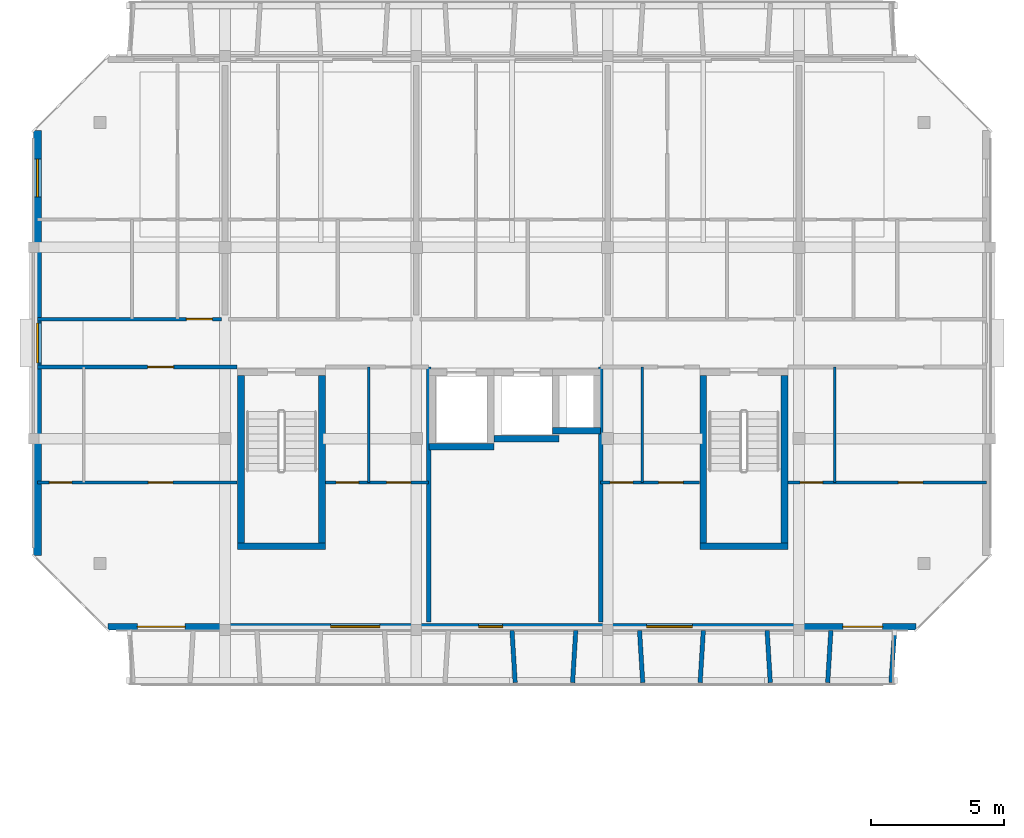
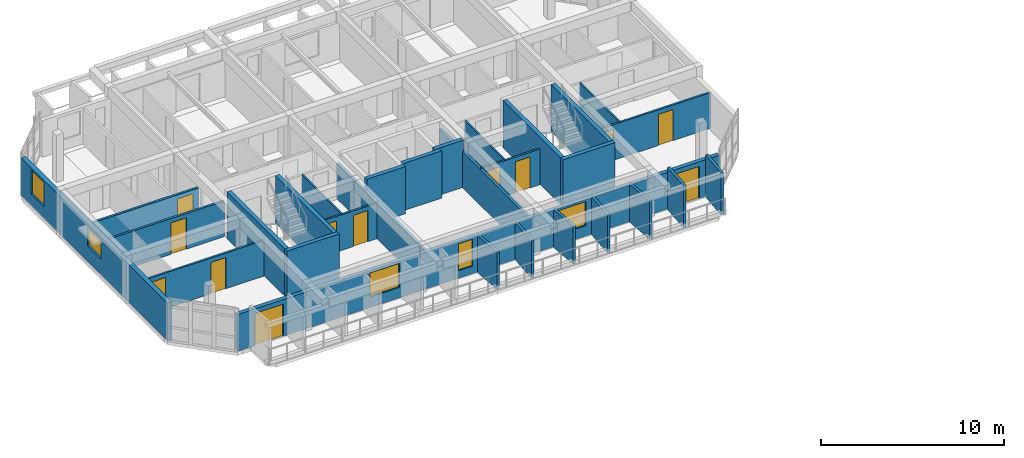
# One storey, part 11 of 19: 29 walls, 12 doors, 5 windows, 17 openings.
"""IFC4 building model written with IfcOpenShell, lengths in metres."""

from ifc_helpers import new_model, si_unit, direction, frame, frame_2d, origin, place, context, subcontext, project, spatial, rectangle, extrude, material, layer, layer_set, type_object, element, fill, save


model = new_model("IFC4")

# Units and contexts
model_context = context("Model", 3, precision=1e-05, world=origin(), true_north=direction((0.0, 1.0)))
body_context = subcontext(model_context, "Body", "Model", "MODEL_VIEW")
ifc_project = project(units=[si_unit("LENGTHUNIT", "METRE"), si_unit("AREAUNIT", "SQUARE_METRE"), si_unit("VOLUMEUNIT", "CUBIC_METRE"), si_unit("PLANEANGLEUNIT", "RADIAN"), si_unit("MASSUNIT", "GRAM", prefix="KILO")], contexts=[model_context])

# Site, building, storey
site_placement = place(None, origin())
site = spatial("IfcSite", under=ifc_project, at=site_placement, CompositionType="ELEMENT")
building_placement = place(site_placement, origin())
building = spatial("IfcBuilding", under=site, at=building_placement, Name="Ochrevale Crest", CompositionType="ELEMENT")
storey_placement = place(building_placement, frame((0.0, 0.0, 43.35009765625)))
storey = spatial("IfcBuildingStorey", under=building, at=storey_placement, Name="L13", CompositionType="ELEMENT", Elevation=43.35009765625)

# Wall, opening, door
ifc_material_1 = material(Name="Gypsum plasterboard", Category="gypsum")
ifc_layer_1 = layer(ifc_material_1, 0.139892578125)
ifc_layer_set_1 = layer_set([ifc_layer_1], Name="Gypsum plasterboard")
wall_type_1 = type_object("IfcWallType", Name="WL-COR-140", PredefinedType="PARTITIONING", material=ifc_layer_set_1)
wall_1_placement = place(storey_placement, frame((129.739990234375, 83.699951171875, 0.0), z_axis=(0.0, 0.0, 1.0), x_axis=(1.0, 0.0, 0.0)))
wall_1 = element("IfcWall", 1, at=wall_1_placement, inside=storey, type_object=wall_type_1, Name="Apartment D-L13-U1 corridor wall", PredefinedType="PARTITIONING", context=body_context, shape_type="SweptSolid", body=[
    extrude(rectangle(XDim=6.919921875, YDim=0.139892578125, at=frame_2d((3.4599609375, 0.0))), origin(), (0.0, 0.0, 1.0), 2.3798828125),
])
opening_1_placement = place(wall_1_placement, frame((6.5849609375, 0.0, 0.0), z_axis=(0.0, 0.0, 1.0), x_axis=(-1.0, 0.0, 0.0)))
opening_1 = element("IfcOpeningElement", 2, at=opening_1_placement, cuts=wall_1, Name="Opening FD01", PredefinedType="OPENING", context=body_context, shape_type="SweptSolid", body=[
    extrude(rectangle(XDim=0.97998046875, YDim=2.10009765625, at=frame_2d((0.489990234375, 1.050048828125))), frame((0.0, 0.080078125, 0.0), z_axis=(0.0, -1.0, 0.0), x_axis=(1.0, 0.0, 0.0)), (0.0, 0.0, 1.0), 0.159912109375),
])
ifc_material_2 = material(Name="Solid-core FSC hardwood", Category="wood")
door_type_1 = type_object("IfcDoorType", Name="DR-APT-950", OperationType="NOTDEFINED", PredefinedType="DOOR", material=ifc_material_2)
door_1_placement = place(opening_1_placement, origin())
door_1 = element("IfcDoor", 3, at=door_1_placement, inside=storey, type_object=door_type_1, Name="Apartment D-L13-U1 entrance door", OperationType="SINGLE_SWING_RIGHT", OverallHeight=2.10009765625, OverallWidth=0.97998046875, PredefinedType="DOOR", context=body_context, shape_type="SweptSolid", body=[
    extrude(rectangle(XDim=0.97998046875, YDim=2.10009765625, at=frame_2d((0.489990234375, 1.050048828125))), frame((0.0, 0.02490234375, 0.0), z_axis=(0.0, -1.0, 0.0), x_axis=(1.0, 0.0, 0.0)), (0.0, 0.0, 1.0), 0.050048828125),
])
fill(opening_1, door_1)

wall_2_placement = place(storey_placement, frame((129.739990234375, 81.89990234375, 0.0), z_axis=(0.0, 0.0, 1.0), x_axis=(1.0, 0.0, 0.0)))
wall_2 = element("IfcWall", 4, at=wall_2_placement, inside=storey, type_object=wall_type_1, Name="Suite D-L13-CW corridor wall", PredefinedType="PARTITIONING", context=body_context, shape_type="SweptSolid", body=[
    extrude(rectangle(XDim=7.52001953125, YDim=0.139892578125, at=frame_2d((3.760009765625, 0.0))), origin(), (0.0, 0.0, 1.0), 2.3798828125),
])
opening_2_placement = place(wall_2_placement, frame((5.125, 0.0, 0.0), z_axis=(0.0, 0.0, 1.0), x_axis=(-1.0, 0.0, 0.0)))
opening_2 = element("IfcOpeningElement", 5, at=opening_2_placement, cuts=wall_2, Name="Opening FD01", PredefinedType="OPENING", context=body_context, shape_type="SweptSolid", body=[
    extrude(rectangle(XDim=0.97998046875, YDim=2.10009765625, at=frame_2d((0.489990234375, 1.050048828125))), frame((0.0, 0.080078125, 0.0), z_axis=(0.0, -1.0, 0.0), x_axis=(1.0, 0.0, 0.0)), (0.0, 0.0, 1.0), 0.159912109375),
])
door_2_placement = place(opening_2_placement, origin())
door_2 = element("IfcDoor", 6, at=door_2_placement, inside=storey, type_object=door_type_1, Name="Suite D-L13-CW entrance door", OperationType="SINGLE_SWING_RIGHT", OverallHeight=2.10009765625, OverallWidth=0.97998046875, PredefinedType="DOOR", context=body_context, shape_type="SweptSolid", body=[
    extrude(rectangle(XDim=0.97998046875, YDim=2.10009765625, at=frame_2d((0.489990234375, 1.050048828125))), frame((0.0, 0.02490234375, 0.0), z_axis=(0.0, -1.0, 0.0), x_axis=(1.0, 0.0, 0.0)), (0.0, 0.0, 1.0), 0.050048828125),
])
fill(opening_2, door_2)

# Walls
ifc_material_3 = material(Name="Precast concrete C50/60", Category="concrete")
ifc_layer_2 = layer(ifc_material_3, 0.2548828125)
ifc_layer_set_2 = layer_set([ifc_layer_2], Name="Precast concrete C50/60")
wall_type_2 = type_object("IfcWallType", Name="WL-CORE-255", PredefinedType="SHEAR", material=ifc_layer_set_2)
wall_3_placement = place(storey_placement, frame((137.2724609375, 75.14990234375, 0.0), z_axis=(0.0, 0.0, 1.0), x_axis=(1.0, 0.0, 0.0)))
element("IfcWall", 7, at=wall_3_placement, inside=storey, type_object=wall_type_2, Name="Block D L13 Stair 1 precast core shear wall S", PredefinedType="SHEAR", context=body_context, shape_type="SweptSolid", body=[
    extrude(rectangle(XDim=3.304931640625, YDim=0.2548828125, at=frame_2d((1.65234375, 0.0))), origin(), (0.0, 0.0, 1.0), 3.14990234375),
])
for number, where, z_axis, x_axis, name in (
    (8, (137.39990234375, 75.277587890625, 0.0), (0.0, 0.0, 1.0), (0.0, 1.0, 0.0), "Block D L13 Stair 1 precast core shear wall W"),
    (9, (140.449951171875, 75.277587890625, 0.0), (0.0, 0.0, 1.0), (0.0, 1.0, 0.0), "Block D L13 Stair 1 precast core shear wall E"),
):
    element("IfcWall", number, at=place(storey_placement, frame(where, z_axis=z_axis, x_axis=x_axis)), inside=storey, type_object=wall_type_2, Name=name, PredefinedType="SHEAR", context=body_context, shape_type="SweptSolid", body=[
        extrude(rectangle(XDim=6.294921875, YDim=0.2548828125, at=frame_2d((3.1474609375, 0.0))), origin(), (0.0, 0.0, 1.0), 3.14990234375),
    ])
wall_4_placement = place(storey_placement, frame((154.672607421875, 75.14990234375, 0.0), z_axis=(0.0, 0.0, 1.0), x_axis=(1.0, 0.0, 0.0)))
element("IfcWall", 10, at=wall_4_placement, inside=storey, type_object=wall_type_2, Name="Block D L13 Stair 2 precast core shear wall S", PredefinedType="SHEAR", context=body_context, shape_type="SweptSolid", body=[
    extrude(rectangle(XDim=3.304931640625, YDim=0.2548828125, at=frame_2d((1.65234375, 0.0))), origin(), (0.0, 0.0, 1.0), 3.14990234375),
])
for number, where, z_axis, x_axis, name in (
    (11, (154.800048828125, 75.277587890625, 0.0), (0.0, 0.0, 1.0), (0.0, 1.0, 0.0), "Block D L13 Stair 2 precast core shear wall W"),
    (12, (157.85009765625, 75.277587890625, 0.0), (0.0, 0.0, 1.0), (0.0, 1.0, 0.0), "Block D L13 Stair 2 precast core shear wall E"),
):
    element("IfcWall", number, at=place(storey_placement, frame(where, z_axis=z_axis, x_axis=x_axis)), inside=storey, type_object=wall_type_2, Name=name, PredefinedType="SHEAR", context=body_context, shape_type="SweptSolid", body=[
        extrude(rectangle(XDim=6.294921875, YDim=0.2548828125, at=frame_2d((3.1474609375, 0.0))), origin(), (0.0, 0.0, 1.0), 3.14990234375),
    ])
wall_5_placement = place(storey_placement, frame((144.472412109375, 78.89990234375, 0.0), z_axis=(0.0, 0.0, 1.0), x_axis=(1.0, 0.0, 0.0)))
element("IfcWall", 13, at=wall_5_placement, inside=storey, type_object=wall_type_2, Name="Block D L13 Lift 1 precast shaft shear wall S", PredefinedType="SHEAR", context=body_context, shape_type="SweptSolid", body=[
    extrude(rectangle(XDim=2.455078125, YDim=0.2548828125, at=frame_2d((1.2275390625, 0.0))), origin(), (0.0, 0.0, 1.0), 3.14990234375),
])
wall_6_placement = place(storey_placement, frame((146.922607421875, 79.199951171875, 0.0), z_axis=(0.0, 0.0, 1.0), x_axis=(1.0, 0.0, 0.0)))
element("IfcWall", 14, at=wall_6_placement, inside=storey, type_object=wall_type_2, Name="Block D L13 Lift 2 precast shaft shear wall S", PredefinedType="SHEAR", context=body_context, shape_type="SweptSolid", body=[
    extrude(rectangle(XDim=2.454833984375, YDim=0.2548828125, at=frame_2d((1.2275390625, 0.0))), origin(), (0.0, 0.0, 1.0), 3.14990234375),
])
wall_7_placement = place(storey_placement, frame((149.12255859375, 79.5, 0.0), z_axis=(0.0, 0.0, 1.0), x_axis=(1.0, 0.0, 0.0)))
element("IfcWall", 15, at=wall_7_placement, inside=storey, type_object=wall_type_2, Name="Block D L13 services riser shaft core wall S", PredefinedType="SHEAR", context=body_context, shape_type="SweptSolid", body=[
    extrude(rectangle(XDim=1.804931640625, YDim=0.2548828125, at=frame_2d((0.90234375, 0.0))), origin(), (0.0, 0.0, 1.0), 3.14990234375),
])

# Wall, openings, windows
ifc_material_4 = material(Name="Clay face brickwork", Category="masonry")
ifc_layer_3 = layer(ifc_material_4, 0.2900390625)
ifc_layer_set_3 = layer_set([ifc_layer_3], Name="Clay face brickwork")
wall_type_3 = type_object("IfcWallType", Name="WL-EXT-BRICK-290", PredefinedType="SOLIDWALL", material=ifc_layer_set_3)
wall_8_placement = place(storey_placement, frame((129.7451171875, 90.800048828125, 0.0), z_axis=(0.0, 0.0, 1.0), x_axis=(0.0, -1.0, 0.0)))
wall_8 = element("IfcWall", 16, at=wall_8_placement, inside=storey, type_object=wall_type_3, Name="Block D L13 external facade wall E7", PredefinedType="SOLIDWALL", context=body_context, shape_type="SweptSolid", body=[
    extrude(rectangle(XDim=16.0, YDim=0.2900390625, at=frame_2d((8.0, 0.0))), origin(), (0.0, 0.0, 1.0), 2.510009765625),
])
opening_3_placement = place(wall_8_placement, frame((7.25, 0.0, 1.050048828125)))
opening_3 = element("IfcOpeningElement", 17, at=opening_3_placement, cuts=wall_8, Name="Opening W18", PredefinedType="OPENING", context=body_context, shape_type="SweptSolid", body=[
    extrude(rectangle(XDim=1.5, YDim=1.14990234375, at=frame_2d((0.75, 0.574951171875))), frame((0.0, 0.155029296875, 0.0), z_axis=(0.0, -1.0, 0.0), x_axis=(1.0, 0.0, 0.0)), (0.0, 0.0, 1.0), 0.31005859375),
])
opening_4_placement = place(wall_8_placement, frame((1.080078125, 0.0, 0.75)))
opening_4 = element("IfcOpeningElement", 18, at=opening_4_placement, cuts=wall_8, Name="Opening W31", PredefinedType="OPENING", context=body_context, shape_type="SweptSolid", body=[
    extrude(rectangle(XDim=1.419921875, YDim=1.60009765625, at=frame_2d((0.7099609375, 0.800048828125))), frame((0.0, 0.155029296875, 0.0), z_axis=(0.0, -1.0, 0.0), x_axis=(1.0, 0.0, 0.0)), (0.0, 0.0, 1.0), 0.31005859375),
])
ifc_material_5 = material(Name="Anodised aluminium 6063-T5 and low-E double glazing", Category="aluminium")
window_type_1 = type_object("IfcWindowType", Name="WIN-W18", PartitioningType="SINGLE_PANEL", PredefinedType="WINDOW", material=ifc_material_5)
window_1_placement = place(opening_3_placement, origin())
window_1 = element("IfcWindow", 19, at=window_1_placement, inside=storey, type_object=window_type_1, Name="Block D L13 corridor end daylight window W", OverallHeight=1.14990234375, OverallWidth=1.5, PartitioningType="SINGLE_PANEL", PredefinedType="WINDOW", context=body_context, shape_type="SweptSolid", body=[
    extrude(rectangle(XDim=1.5, YDim=1.14990234375, at=frame_2d((0.75, 0.574951171875))), frame((0.0, 0.030029296875, 0.0), z_axis=(0.0, -1.0, 0.0), x_axis=(1.0, 0.0, 0.0)), (0.0, 0.0, 1.0), 0.06005859375),
])
fill(opening_3, window_1)
window_type_2 = type_object("IfcWindowType", Name="WIN-W31", PartitioningType="SINGLE_PANEL", PredefinedType="WINDOW", material=ifc_material_5)
window_2_placement = place(opening_4_placement, origin())
window_2 = element("IfcWindow", 20, at=window_2_placement, inside=storey, type_object=window_type_2, Name="Block D L13 side suite window W", OverallHeight=1.60009765625, OverallWidth=1.419921875, PartitioningType="SINGLE_PANEL", PredefinedType="WINDOW", context=body_context, shape_type="SweptSolid", body=[
    extrude(rectangle(XDim=1.419921875, YDim=1.60009765625, at=frame_2d((0.7099609375, 0.800048828125))), frame((0.0, 0.030029296875, 0.0), z_axis=(0.0, -1.0, 0.0), x_axis=(1.0, 0.0, 0.0)), (0.0, 0.0, 1.0), 0.06005859375),
])
fill(opening_4, window_2)

# Wall, openings, doors, windows
ifc_material_6 = material(Name="Precast concrete C40/50", Category="concrete")
ifc_layer_4 = layer(ifc_material_6, 0.25)
ifc_layer_set_4 = layer_set([ifc_layer_4], Name="Precast concrete C40/50")
wall_type_4 = type_object("IfcWallType", Name="WL-EXT-GOLD-250", PredefinedType="SOLIDWALL", material=ifc_layer_set_4)
wall_9_placement = place(storey_placement, frame((132.39990234375, 72.125, 0.0), z_axis=(0.0, 0.0, 1.0), x_axis=(1.0, 0.0, 0.0)))
wall_9 = element("IfcWall", 21, at=wall_9_placement, inside=storey, type_object=wall_type_4, Name="Block D L13 external facade wall E1", PredefinedType="SOLIDWALL", context=body_context, shape_type="SweptSolid", body=[
    extrude(rectangle(XDim=30.400146484375, YDim=0.25, at=frame_2d((15.2001953125, 0.0))), origin(), (0.0, 0.0, 1.0), 2.449951171875),
])
opening_5_placement = place(wall_9_placement, frame((2.900146484375, 0.0, 0.0), z_axis=(0.0, 0.0, 1.0), x_axis=(-1.0, 0.0, 0.0)))
opening_5 = element("IfcOpeningElement", 22, at=opening_5_placement, cuts=wall_9, Name="Opening BD03", PredefinedType="OPENING", context=body_context, shape_type="SweptSolid", body=[
    extrude(rectangle(XDim=1.800048828125, YDim=2.14990234375, at=frame_2d((0.89990234375, 1.074951171875))), frame((0.0, 0.135009765625, 0.0), z_axis=(0.0, -1.0, 0.0), x_axis=(1.0, 0.0, 0.0)), (0.0, 0.0, 1.0), 0.27001953125),
])
opening_6_placement = place(wall_9_placement, frame((29.14990234375, 0.0, 0.0), z_axis=(0.0, 0.0, 1.0), x_axis=(-1.0, 0.0, 0.0)))
opening_6 = element("IfcOpeningElement", 23, at=opening_6_placement, cuts=wall_9, Name="Opening BD01", PredefinedType="OPENING", context=body_context, shape_type="SweptSolid", body=[
    extrude(rectangle(XDim=1.5, YDim=2.14990234375, at=frame_2d((0.75, 1.074951171875))), frame((0.0, 0.135009765625, 0.0), z_axis=(0.0, -1.0, 0.0), x_axis=(1.0, 0.0, 0.0)), (0.0, 0.0, 1.0), 0.27001953125),
])
opening_7_placement = place(wall_9_placement, frame((13.945068359375, 0.0, 0.5)))
opening_7 = element("IfcOpeningElement", 24, at=opening_7_placement, cuts=wall_9, Name="Opening W17", PredefinedType="OPENING", context=body_context, shape_type="SweptSolid", body=[
    extrude(rectangle(XDim=0.89990234375, YDim=1.800048828125, at=frame_2d((0.449951171875, 0.89990234375))), frame((0.0, 0.135009765625, 0.0), z_axis=(0.0, -1.0, 0.0), x_axis=(1.0, 0.0, 0.0)), (0.0, 0.0, 1.0), 0.27001953125),
])
opening_8_placement = place(wall_9_placement, frame((20.264892578125, 0.0, 0.699951171875)))
opening_8 = element("IfcOpeningElement", 25, at=opening_8_placement, cuts=wall_9, Name="Opening W10", PredefinedType="OPENING", context=body_context, shape_type="SweptSolid", body=[
    extrude(rectangle(XDim=1.719970703125, YDim=1.60009765625, at=frame_2d((0.85986328125, 0.800048828125))), frame((0.0, 0.135009765625, 0.0), z_axis=(0.0, -1.0, 0.0), x_axis=(1.0, 0.0, 0.0)), (0.0, 0.0, 1.0), 0.27001953125),
])
opening_9_placement = place(wall_9_placement, frame((8.3701171875, 0.0, 0.699951171875)))
opening_9 = element("IfcOpeningElement", 26, at=opening_9_placement, cuts=wall_9, Name="Opening W11", PredefinedType="OPENING", context=body_context, shape_type="SweptSolid", body=[
    extrude(rectangle(XDim=1.860107421875, YDim=1.60009765625, at=frame_2d((0.93017578125, 0.800048828125))), frame((0.0, 0.135009765625, 0.0), z_axis=(0.0, -1.0, 0.0), x_axis=(1.0, 0.0, 0.0)), (0.0, 0.0, 1.0), 0.27001953125),
])
ifc_material_7 = material(Name="Anodised aluminium 6063-T5 and toughened glass", Category="aluminium")
door_type_2 = type_object("IfcDoorType", Name="DR-BAL-1500", OperationType="NOTDEFINED", PredefinedType="DOOR", material=ifc_material_7)
door_3_placement = place(opening_6_placement, origin())
door_3 = element("IfcDoor", 27, at=door_3_placement, inside=storey, type_object=door_type_2, Name="Block D L13 balcony door S5", OperationType="SINGLE_SWING_RIGHT", OverallHeight=2.14990234375, OverallWidth=1.5, PredefinedType="DOOR", context=body_context, shape_type="SweptSolid", body=[
    extrude(rectangle(XDim=1.5, YDim=2.14990234375, at=frame_2d((0.75, 1.074951171875))), frame((0.0, 0.02490234375, 0.0), z_axis=(0.0, -1.0, 0.0), x_axis=(1.0, 0.0, 0.0)), (0.0, 0.0, 1.0), 0.050048828125),
])
fill(opening_6, door_3)
door_type_3 = type_object("IfcDoorType", Name="DR-BAL-1800", OperationType="NOTDEFINED", PredefinedType="DOOR", material=ifc_material_7)
door_4_placement = place(opening_5_placement, origin())
door_4 = element("IfcDoor", 28, at=door_4_placement, inside=storey, type_object=door_type_3, Name="Block D L13 balcony door S1", OperationType="SINGLE_SWING_LEFT", OverallHeight=2.14990234375, OverallWidth=1.800048828125, PredefinedType="DOOR", context=body_context, shape_type="SweptSolid", body=[
    extrude(rectangle(XDim=1.800048828125, YDim=2.14990234375, at=frame_2d((0.89990234375, 1.074951171875))), frame((0.0, 0.02490234375, 0.0), z_axis=(0.0, -1.0, 0.0), x_axis=(1.0, 0.0, 0.0)), (0.0, 0.0, 1.0), 0.050048828125),
])
fill(opening_5, door_4)
window_type_3 = type_object("IfcWindowType", Name="WIN-W10", PartitioningType="SINGLE_PANEL", PredefinedType="WINDOW", material=ifc_material_5)
window_3_placement = place(opening_8_placement, origin())
window_3 = element("IfcWindow", 29, at=window_3_placement, inside=storey, type_object=window_type_3, Name="Block D L13 Suite D-L13-ME Garden Alcove Studio window", OverallHeight=1.60009765625, OverallWidth=1.719970703125, PartitioningType="SINGLE_PANEL", PredefinedType="WINDOW", context=body_context, shape_type="SweptSolid", body=[
    extrude(rectangle(XDim=1.719970703125, YDim=1.60009765625, at=frame_2d((0.85986328125, 0.800048828125))), frame((0.0, 0.030029296875, 0.0), z_axis=(0.0, -1.0, 0.0), x_axis=(1.0, 0.0, 0.0)), (0.0, 0.0, 1.0), 0.06005859375),
])
fill(opening_8, window_3)
window_type_4 = type_object("IfcWindowType", Name="WIN-W11", PartitioningType="SINGLE_PANEL", PredefinedType="WINDOW", material=ifc_material_5)
window_4_placement = place(opening_9_placement, origin())
window_4 = element("IfcWindow", 30, at=window_4_placement, inside=storey, type_object=window_type_4, Name="Block D L13 Suite D-L13-MW Courtyard Studio Living window", OverallHeight=1.60009765625, OverallWidth=1.860107421875, PartitioningType="SINGLE_PANEL", PredefinedType="WINDOW", context=body_context, shape_type="SweptSolid", body=[
    extrude(rectangle(XDim=1.860107421875, YDim=1.60009765625, at=frame_2d((0.93017578125, 0.800048828125))), frame((0.0, 0.030029296875, 0.0), z_axis=(0.0, -1.0, 0.0), x_axis=(1.0, 0.0, 0.0)), (0.0, 0.0, 1.0), 0.06005859375),
])
fill(opening_9, window_4)
window_type_5 = type_object("IfcWindowType", Name="WIN-W17", PartitioningType="SINGLE_PANEL", PredefinedType="WINDOW", material=ifc_material_5)
window_5_placement = place(opening_7_placement, origin())
window_5 = element("IfcWindow", 31, at=window_5_placement, inside=storey, type_object=window_type_5, Name="Block D L13 core lancet window", OverallHeight=1.800048828125, OverallWidth=0.89990234375, PartitioningType="SINGLE_PANEL", PredefinedType="WINDOW", context=body_context, shape_type="SweptSolid", body=[
    extrude(rectangle(XDim=0.89990234375, YDim=1.800048828125, at=frame_2d((0.449951171875, 0.89990234375))), frame((0.0, 0.030029296875, 0.0), z_axis=(0.0, -1.0, 0.0), x_axis=(1.0, 0.0, 0.0)), (0.0, 0.0, 1.0), 0.06005859375),
])
fill(opening_7, window_5)

# Walls
ifc_layer_5 = layer(ifc_material_6, 0.1650390625)
ifc_layer_set_5 = layer_set([ifc_layer_5], Name="Precast concrete C40/50")
wall_type_5 = type_object("IfcWallType", Name="WL-HC-CHEEK-165", PredefinedType="ELEMENTEDWALL", material=ifc_layer_set_5)
for number, where, z_axis, x_axis, name in (
    (32, (147.60009765625, 71.97998046875, 0.0), (0.0, 0.0, 1.0), (0.061046865508, -0.998134900808, 0.0), "Block D L13 S precast honeycomb cheek 7"),
    (33, (150.0, 71.97998046875, 0.0), (0.0, 0.0, 1.0), (-0.061170732449, -0.998127317276, 0.0), "Block D L13 S precast honeycomb cheek 8"),
):
    element("IfcWall", number, at=place(storey_placement, frame(where, z_axis=z_axis, x_axis=x_axis)), inside=storey, type_object=wall_type_5, Name=name, PredefinedType="ELEMENTEDWALL", context=body_context, shape_type="SweptSolid", body=[
        extrude(rectangle(XDim=1.963623046875, YDim=0.1650390625, at=frame_2d((0.98193359375, 0.0))), origin(), (0.0, 0.0, 1.0), 2.47998046875),
    ])
for number, where, z_axis, x_axis, name in (
    (34, (152.39990234375, 71.97998046875, 0.0), (0.0, 0.0, 1.0), (0.061170732449, -0.998127317276, 0.0), "Block D L13 S precast honeycomb cheek 9"),
    (35, (154.800048828125, 71.97998046875, 0.0), (0.0, 0.0, 1.0), (-0.061170732449, -0.998127317276, 0.0), "Block D L13 S precast honeycomb cheek 10"),
    (36, (157.199951171875, 71.97998046875, 0.0), (0.0, 0.0, 1.0), (0.061170732449, -0.998127317276, 0.0), "Block D L13 S precast honeycomb cheek 11"),
):
    element("IfcWall", number, at=place(storey_placement, frame(where, z_axis=z_axis, x_axis=x_axis)), inside=storey, type_object=wall_type_5, Name=name, PredefinedType="ELEMENTEDWALL", context=body_context, shape_type="SweptSolid", body=[
        extrude(rectangle(XDim=1.963623046875, YDim=0.1650390625, at=frame_2d((0.98193359375, 0.0))), origin(), (0.0, 0.0, 1.0), 2.52978515625),
    ])
wall_10_placement = place(storey_placement, frame((159.60009765625, 71.97998046875, 0.0), z_axis=(0.0, 0.0, 1.0), x_axis=(-0.061170732449, -0.998127317276, 0.0)))
element("IfcWall", 37, at=wall_10_placement, inside=storey, type_object=wall_type_5, Name="Block D L13 S precast honeycomb cheek 12", PredefinedType="ELEMENTEDWALL", context=body_context, shape_type="SweptSolid", body=[
    extrude(rectangle(XDim=1.963623046875, YDim=0.1650390625, at=frame_2d((0.98193359375, 0.0))), origin(), (0.0, 0.0, 1.0), 2.7998046875),
])
wall_11_placement = place(storey_placement, frame((162.0, 71.97998046875, 0.0), z_axis=(0.0, 0.0, 1.0), x_axis=(-0.071194071069, -0.997462482625, 0.0)))
element("IfcWall", 38, at=wall_11_placement, inside=storey, type_object=wall_type_5, Name="Block D L13 S precast honeycomb cheek 13", PredefinedType="ELEMENTEDWALL", context=body_context, shape_type="SweptSolid", body=[
    extrude(rectangle(XDim=1.96484375, YDim=0.1650390625, at=frame_2d((0.982421875, 0.0))), origin(), (0.0, 0.0, 1.0), 2.7998046875),
])

# Wall, openings, doors
ifc_layer_6 = layer(ifc_material_1, 0.1201171875)
ifc_layer_set_6 = layer_set([ifc_layer_6], Name="Gypsum plasterboard")
wall_type_6 = type_object("IfcWallType", Name="WL-PART-120", PredefinedType="PARTITIONING", material=ifc_layer_set_6)
wall_12_placement = place(storey_placement, frame((129.739990234375, 77.550048828125, 0.0), z_axis=(0.0, 0.0, 1.0), x_axis=(1.0, 0.0, 0.0)))
wall_12 = element("IfcWall", 39, at=wall_12_placement, inside=storey, type_object=wall_type_6, Name="Suite D-L13-CW internal wall", PredefinedType="PARTITIONING", context=body_context, shape_type="SweptSolid", body=[
    extrude(rectangle(XDim=7.52001953125, YDim=0.1201171875, at=frame_2d((3.760009765625, 0.0))), origin(), (0.0, 0.0, 1.0), 2.3798828125),
])
opening_10_placement = place(wall_12_placement, frame((0.449951171875, 0.0, 0.0)))
opening_10 = element("IfcOpeningElement", 40, at=opening_10_placement, cuts=wall_12, Name="Opening ID01", PredefinedType="OPENING", context=body_context, shape_type="SweptSolid", body=[
    extrude(rectangle(XDim=0.85009765625, YDim=2.080078125, at=frame_2d((0.425048828125, 1.0400390625))), frame((0.0, 0.070068359375, 0.0), z_axis=(0.0, -1.0, 0.0), x_axis=(1.0, 0.0, 0.0)), (0.0, 0.0, 1.0), 0.14013671875),
])
opening_11_placement = place(wall_12_placement, frame((5.094970703125, 0.0, 0.0), z_axis=(0.0, 0.0, 1.0), x_axis=(-1.0, 0.0, 0.0)))
opening_11 = element("IfcOpeningElement", 41, at=opening_11_placement, cuts=wall_12, Name="Opening ID04", PredefinedType="OPENING", context=body_context, shape_type="SweptSolid", body=[
    extrude(rectangle(XDim=0.919921875, YDim=2.080078125, at=frame_2d((0.4599609375, 1.0400390625))), frame((0.0, 0.070068359375, 0.0), z_axis=(0.0, -1.0, 0.0), x_axis=(1.0, 0.0, 0.0)), (0.0, 0.0, 1.0), 0.14013671875),
])
door_type_4 = type_object("IfcDoorType", Name="DR-INT-920", OperationType="NOTDEFINED", PredefinedType="DOOR", material=ifc_material_2)
door_5_placement = place(opening_11_placement, origin())
door_5 = element("IfcDoor", 42, at=door_5_placement, inside=storey, type_object=door_type_4, Name="Suite D-L13-CW Garden Alcove Studio door", OperationType="SINGLE_SWING_RIGHT", OverallHeight=2.080078125, OverallWidth=0.919921875, PredefinedType="DOOR", context=body_context, shape_type="SweptSolid", body=[
    extrude(rectangle(XDim=0.919921875, YDim=2.080078125, at=frame_2d((0.4599609375, 1.0400390625))), frame((0.0, 0.02490234375, 0.0), z_axis=(0.0, -1.0, 0.0), x_axis=(1.0, 0.0, 0.0)), (0.0, 0.0, 1.0), 0.050048828125),
])
fill(opening_11, door_5)
door_type_5 = type_object("IfcDoorType", Name="DR-WC-850", OperationType="NOTDEFINED", PredefinedType="DOOR", material=ifc_material_2)
door_6_placement = place(opening_10_placement, origin())
door_6 = element("IfcDoor", 43, at=door_6_placement, inside=storey, type_object=door_type_5, Name="Suite D-L13-CW Bathroom door", OperationType="SINGLE_SWING_LEFT", OverallHeight=2.080078125, OverallWidth=0.85009765625, PredefinedType="DOOR", context=body_context, shape_type="SweptSolid", body=[
    extrude(rectangle(XDim=0.85009765625, YDim=2.080078125, at=frame_2d((0.425048828125, 1.0400390625))), frame((0.0, 0.02490234375, 0.0), z_axis=(0.0, -1.0, 0.0), x_axis=(1.0, 0.0, 0.0)), (0.0, 0.0, 1.0), 0.050048828125),
])
fill(opening_10, door_6)

wall_13_placement = place(storey_placement, frame((140.590087890625, 77.550048828125, 0.0), z_axis=(0.0, 0.0, 1.0), x_axis=(1.0, 0.0, 0.0)))
wall_13 = element("IfcWall", 44, at=wall_13_placement, inside=storey, type_object=wall_type_6, Name="Suite D-L13-MW internal wall", PredefinedType="PARTITIONING", context=body_context, shape_type="SweptSolid", body=[
    extrude(rectangle(XDim=3.869873046875, YDim=0.1201171875, at=frame_2d((1.93505859375, 0.0))), origin(), (0.0, 0.0, 1.0), 2.3798828125),
])
opening_12_placement = place(wall_13_placement, frame((1.23779296875, 0.0, 0.0), z_axis=(0.0, 0.0, 1.0), x_axis=(-1.0, 0.0, 0.0)))
opening_12 = element("IfcOpeningElement", 45, at=opening_12_placement, cuts=wall_13, Name="Opening ID01", PredefinedType="OPENING", context=body_context, shape_type="SweptSolid", body=[
    extrude(rectangle(XDim=0.85009765625, YDim=2.080078125, at=frame_2d((0.425048828125, 1.0400390625))), frame((0.0, 0.070068359375, 0.0), z_axis=(0.0, -1.0, 0.0), x_axis=(1.0, 0.0, 0.0)), (0.0, 0.0, 1.0), 0.14013671875),
])
opening_13_placement = place(wall_13_placement, frame((2.28759765625, 0.0, 0.0)))
opening_13 = element("IfcOpeningElement", 46, at=opening_13_placement, cuts=wall_13, Name="Opening ID04", PredefinedType="OPENING", context=body_context, shape_type="SweptSolid", body=[
    extrude(rectangle(XDim=0.919921875, YDim=2.080078125, at=frame_2d((0.4599609375, 1.0400390625))), frame((0.0, 0.070068359375, 0.0), z_axis=(0.0, -1.0, 0.0), x_axis=(1.0, 0.0, 0.0)), (0.0, 0.0, 1.0), 0.14013671875),
])
door_7_placement = place(opening_13_placement, origin())
door_7 = element("IfcDoor", 47, at=door_7_placement, inside=storey, type_object=door_type_4, Name="Suite D-L13-MW Courtyard Studio Living door", OperationType="SINGLE_SWING_LEFT", OverallHeight=2.080078125, OverallWidth=0.919921875, PredefinedType="DOOR", context=body_context, shape_type="SweptSolid", body=[
    extrude(rectangle(XDim=0.919921875, YDim=2.080078125, at=frame_2d((0.4599609375, 1.0400390625))), frame((0.0, 0.02490234375, 0.0), z_axis=(0.0, -1.0, 0.0), x_axis=(1.0, 0.0, 0.0)), (0.0, 0.0, 1.0), 0.050048828125),
])
fill(opening_13, door_7)
door_8_placement = place(opening_12_placement, origin())
door_8 = element("IfcDoor", 48, at=door_8_placement, inside=storey, type_object=door_type_5, Name="Suite D-L13-MW Bathroom door", OperationType="SINGLE_SWING_RIGHT", OverallHeight=2.080078125, OverallWidth=0.85009765625, PredefinedType="DOOR", context=body_context, shape_type="SweptSolid", body=[
    extrude(rectangle(XDim=0.85009765625, YDim=2.080078125, at=frame_2d((0.425048828125, 1.0400390625))), frame((0.0, 0.02490234375, 0.0), z_axis=(0.0, -1.0, 0.0), x_axis=(1.0, 0.0, 0.0)), (0.0, 0.0, 1.0), 0.050048828125),
])
fill(opening_12, door_8)

wall_14_placement = place(storey_placement, frame((150.93994140625, 77.550048828125, 0.0), z_axis=(0.0, 0.0, 1.0), x_axis=(1.0, 0.0, 0.0)))
wall_14 = element("IfcWall", 49, at=wall_14_placement, inside=storey, type_object=wall_type_6, Name="Suite D-L13-ME internal wall", PredefinedType="PARTITIONING", context=body_context, shape_type="SweptSolid", body=[
    extrude(rectangle(XDim=3.719970703125, YDim=0.1201171875, at=frame_2d((1.85986328125, 0.0))), origin(), (0.0, 0.0, 1.0), 2.3798828125),
])
opening_14_placement = place(wall_14_placement, frame((0.356201171875, 0.0, 0.0)))
opening_14 = element("IfcOpeningElement", 50, at=opening_14_placement, cuts=wall_14, Name="Opening ID01", PredefinedType="OPENING", context=body_context, shape_type="SweptSolid", body=[
    extrude(rectangle(XDim=0.85009765625, YDim=2.080078125, at=frame_2d((0.425048828125, 1.0400390625))), frame((0.0, 0.070068359375, 0.0), z_axis=(0.0, -1.0, 0.0), x_axis=(1.0, 0.0, 0.0)), (0.0, 0.0, 1.0), 0.14013671875),
])
opening_15_placement = place(wall_14_placement, frame((3.10107421875, 0.0, 0.0), z_axis=(0.0, 0.0, 1.0), x_axis=(-1.0, 0.0, 0.0)))
opening_15 = element("IfcOpeningElement", 51, at=opening_15_placement, cuts=wall_14, Name="Opening ID04", PredefinedType="OPENING", context=body_context, shape_type="SweptSolid", body=[
    extrude(rectangle(XDim=0.919921875, YDim=2.080078125, at=frame_2d((0.4599609375, 1.0400390625))), frame((0.0, 0.070068359375, 0.0), z_axis=(0.0, -1.0, 0.0), x_axis=(1.0, 0.0, 0.0)), (0.0, 0.0, 1.0), 0.14013671875),
])
door_9_placement = place(opening_15_placement, origin())
door_9 = element("IfcDoor", 52, at=door_9_placement, inside=storey, type_object=door_type_4, Name="Suite D-L13-ME Garden Alcove Studio door", OperationType="SINGLE_SWING_RIGHT", OverallHeight=2.080078125, OverallWidth=0.919921875, PredefinedType="DOOR", context=body_context, shape_type="SweptSolid", body=[
    extrude(rectangle(XDim=0.919921875, YDim=2.080078125, at=frame_2d((0.4599609375, 1.0400390625))), frame((0.0, 0.02490234375, 0.0), z_axis=(0.0, -1.0, 0.0), x_axis=(1.0, 0.0, 0.0)), (0.0, 0.0, 1.0), 0.050048828125),
])
fill(opening_15, door_9)
door_10_placement = place(opening_14_placement, origin())
door_10 = element("IfcDoor", 53, at=door_10_placement, inside=storey, type_object=door_type_5, Name="Suite D-L13-ME Bathroom door", OperationType="SINGLE_SWING_LEFT", OverallHeight=2.080078125, OverallWidth=0.85009765625, PredefinedType="DOOR", context=body_context, shape_type="SweptSolid", body=[
    extrude(rectangle(XDim=0.85009765625, YDim=2.080078125, at=frame_2d((0.425048828125, 1.0400390625))), frame((0.0, 0.02490234375, 0.0), z_axis=(0.0, -1.0, 0.0), x_axis=(1.0, 0.0, 0.0)), (0.0, 0.0, 1.0), 0.050048828125),
])
fill(opening_14, door_10)

wall_15_placement = place(storey_placement, frame((157.989990234375, 77.550048828125, 0.0), z_axis=(0.0, 0.0, 1.0), x_axis=(1.0, 0.0, 0.0)))
wall_15 = element("IfcWall", 54, at=wall_15_placement, inside=storey, type_object=wall_type_6, Name="Suite D-L13-CE internal wall", PredefinedType="PARTITIONING", context=body_context, shape_type="SweptSolid", body=[
    extrude(rectangle(XDim=7.469970703125, YDim=0.1201171875, at=frame_2d((3.73486328125, 0.0))), origin(), (0.0, 0.0, 1.0), 2.3798828125),
])
opening_16_placement = place(wall_15_placement, frame((1.300048828125, 0.0, 0.0), z_axis=(0.0, 0.0, 1.0), x_axis=(-1.0, 0.0, 0.0)))
opening_16 = element("IfcOpeningElement", 55, at=opening_16_placement, cuts=wall_15, Name="Opening ID01", PredefinedType="OPENING", context=body_context, shape_type="SweptSolid", body=[
    extrude(rectangle(XDim=0.85009765625, YDim=2.080078125, at=frame_2d((0.425048828125, 1.0400390625))), frame((0.0, 0.070068359375, 0.0), z_axis=(0.0, -1.0, 0.0), x_axis=(1.0, 0.0, 0.0)), (0.0, 0.0, 1.0), 0.14013671875),
])
opening_17_placement = place(wall_15_placement, frame((4.14990234375, 0.0, 0.0)))
opening_17 = element("IfcOpeningElement", 56, at=opening_17_placement, cuts=wall_15, Name="Opening ID04", PredefinedType="OPENING", context=body_context, shape_type="SweptSolid", body=[
    extrude(rectangle(XDim=0.919921875, YDim=2.080078125, at=frame_2d((0.4599609375, 1.0400390625))), frame((0.0, 0.070068359375, 0.0), z_axis=(0.0, -1.0, 0.0), x_axis=(1.0, 0.0, 0.0)), (0.0, 0.0, 1.0), 0.14013671875),
])
door_11_placement = place(opening_17_placement, origin())
door_11 = element("IfcDoor", 57, at=door_11_placement, inside=storey, type_object=door_type_4, Name="Suite D-L13-CE Master Bedroom door", OperationType="SINGLE_SWING_LEFT", OverallHeight=2.080078125, OverallWidth=0.919921875, PredefinedType="DOOR", context=body_context, shape_type="SweptSolid", body=[
    extrude(rectangle(XDim=0.919921875, YDim=2.080078125, at=frame_2d((0.4599609375, 1.0400390625))), frame((0.0, 0.02490234375, 0.0), z_axis=(0.0, -1.0, 0.0), x_axis=(1.0, 0.0, 0.0)), (0.0, 0.0, 1.0), 0.050048828125),
])
fill(opening_17, door_11)
door_12_placement = place(opening_16_placement, origin())
door_12 = element("IfcDoor", 58, at=door_12_placement, inside=storey, type_object=door_type_5, Name="Suite D-L13-CE Bathroom door", OperationType="SINGLE_SWING_RIGHT", OverallHeight=2.080078125, OverallWidth=0.85009765625, PredefinedType="DOOR", context=body_context, shape_type="SweptSolid", body=[
    extrude(rectangle(XDim=0.85009765625, YDim=2.080078125, at=frame_2d((0.425048828125, 1.0400390625))), frame((0.0, 0.02490234375, 0.0), z_axis=(0.0, -1.0, 0.0), x_axis=(1.0, 0.0, 0.0)), (0.0, 0.0, 1.0), 0.050048828125),
])
fill(opening_16, door_12)

# Walls
ifc_layer_7 = layer(ifc_material_1, 0.169921875)
ifc_layer_set_7 = layer_set([ifc_layer_7], Name="Gypsum plasterboard")
wall_type_7 = type_object("IfcWallType", Name="WL-TEN-170", PredefinedType="PARTITIONING", material=ifc_layer_set_7)
for number, where, z_axis, x_axis, name in (
    (59, (144.4599609375, 72.300048828125, 0.0), (0.0, 0.0, 1.0), (0.0, 1.0, 0.0), "Suite D-L13-MW east party wall"),
    (60, (150.93994140625, 72.300048828125, 0.0), (0.0, 0.0, 1.0), (0.0, 1.0, 0.0), "Suite D-L13-ME west party wall"),
):
    element("IfcWall", number, at=place(storey_placement, frame(where, z_axis=z_axis, x_axis=x_axis)), inside=storey, type_object=wall_type_7, Name=name, PredefinedType="PARTITIONING", context=body_context, shape_type="SweptSolid", body=[
        extrude(rectangle(XDim=9.599853515625, YDim=0.169921875, at=frame_2d((4.7998046875, 0.0))), origin(), (0.0, 0.0, 1.0), 2.3798828125),
    ])
ifc_layer_8 = layer(ifc_material_1, 0.10009765625)
ifc_layer_set_8 = layer_set([ifc_layer_8], Name="Gypsum plasterboard")
wall_type_8 = type_object("IfcWallType", Name="WL-WET-100", PredefinedType="PARTITIONING", material=ifc_layer_set_8)
for number, where, z_axis, x_axis, name in (
    (61, (142.21533203125, 77.550048828125, 0.0), (0.0, 0.0, 1.0), (0.0, 1.0, 0.0), "Suite D-L13-MW bathroom divider"),
    (62, (152.50244140625, 77.550048828125, 0.0), (0.0, 0.0, 1.0), (0.0, 1.0, 0.0), "Suite D-L13-ME bathroom divider"),
    (63, (159.739990234375, 77.550048828125, 0.0), (0.0, 0.0, 1.0), (0.0, 1.0, 0.0), "Suite D-L13-CE bathroom divider"),
):
    element("IfcWall", number, at=place(storey_placement, frame(where, z_axis=z_axis, x_axis=x_axis)), inside=storey, type_object=wall_type_8, Name=name, PredefinedType="PARTITIONING", context=body_context, shape_type="SweptSolid", body=[
        extrude(rectangle(XDim=4.349853515625, YDim=0.10009765625, at=frame_2d((2.1748046875, 0.0))), origin(), (0.0, 0.0, 1.0), 2.3798828125),
    ])

save(model, "model.ifc")
